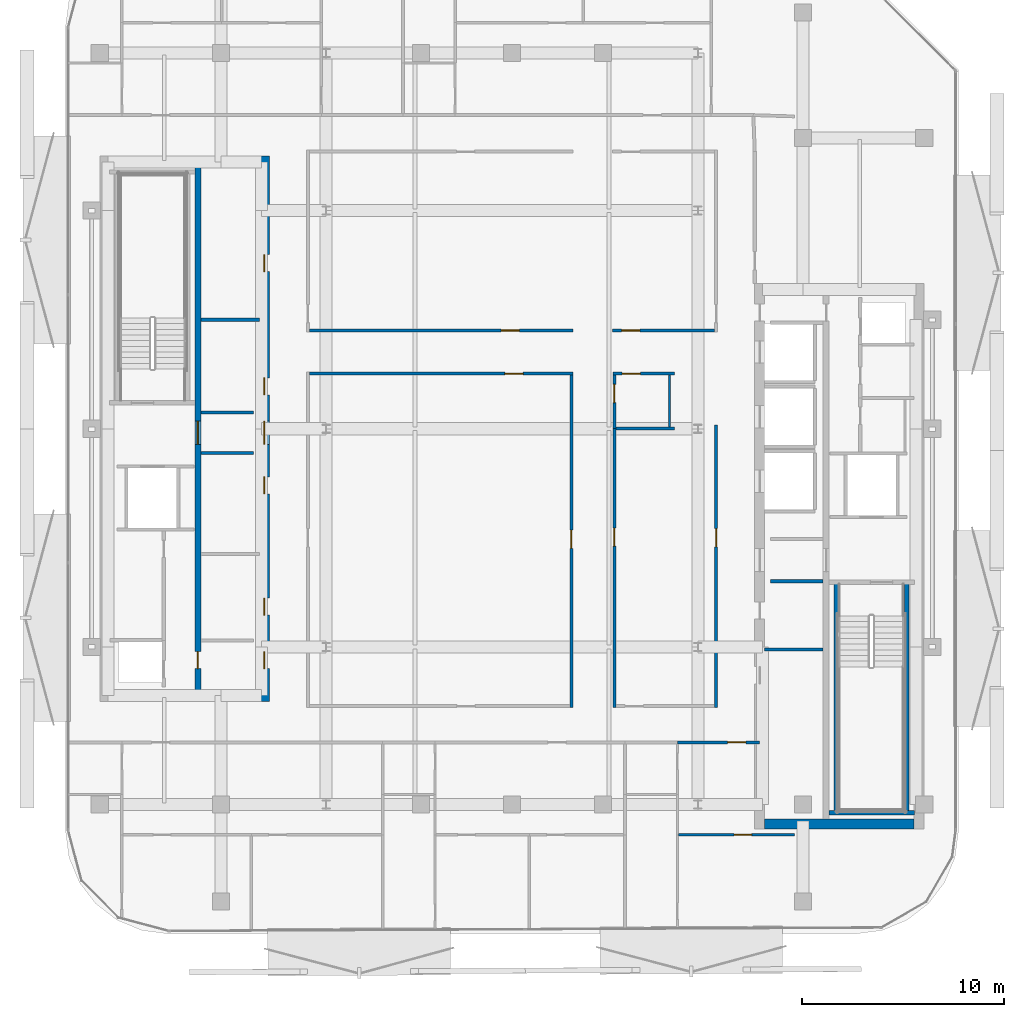
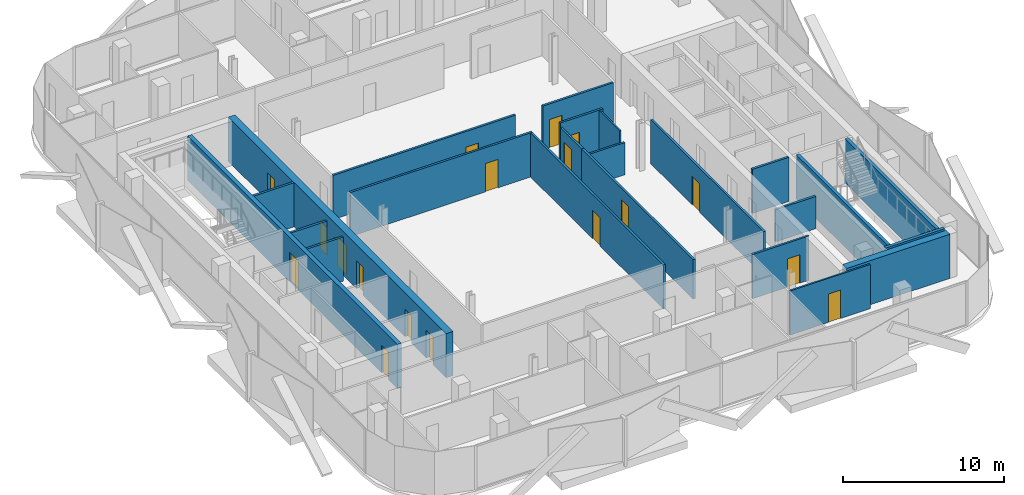
# One storey, part 4 of 15: 23 walls, 18 doors, 18 openings.
"""IFC4 building model written with IfcOpenShell, lengths in metres."""

from ifc_helpers import new_model, si_unit, direction, frame, frame_2d, origin, place, context, subcontext, project, spatial, rectangle, extrude, material, layer, layer_set, type_object, element, fill, save


model = new_model("IFC4")

# Units and contexts
model_context = context("Model", 3, precision=1e-05, world=origin(), true_north=direction((0.0, 1.0)))
body_context = subcontext(model_context, "Body", "Model", "MODEL_VIEW")
ifc_project = project(units=[si_unit("LENGTHUNIT", "METRE"), si_unit("AREAUNIT", "SQUARE_METRE"), si_unit("VOLUMEUNIT", "CUBIC_METRE"), si_unit("PLANEANGLEUNIT", "RADIAN"), si_unit("MASSUNIT", "GRAM", prefix="KILO")], contexts=[model_context])

# Site, building, storey
site_placement = place(None, origin())
site = spatial("IfcSite", under=ifc_project, at=site_placement, CompositionType="ELEMENT")
building_placement = place(site_placement, origin())
building = spatial("IfcBuilding", under=site, at=building_placement, Name="Khairoan Windgate Tower", CompositionType="ELEMENT")
storey_placement = place(building_placement, frame((0.0, 0.0, 254.800048828125)))
storey = spatial("IfcBuildingStorey", under=building, at=storey_placement, Name="L60", CompositionType="ELEMENT", Elevation=254.800048828125)

# Walls
ifc_material_1 = material(Name="Moisture-Resistant Gypsum Partition", Category="gypsum")
ifc_layer_1 = layer(ifc_material_1, 0.10009765625, Name="Moisture-Resistant Gypsum Partition")
ifc_layer_set_1 = layer_set([ifc_layer_1], Name="Moisture-Resistant Gypsum Partition")
wall_type_1 = type_object("IfcWallType", Name="Bathroom Wet-Area Partition Wall", PredefinedType="PARTITIONING", material=ifc_layer_set_1)
wall_1_placement = place(storey_placement, frame((7.800048828125, 2.659912109375, 0.0), z_axis=(0.0, 0.0, 1.0), x_axis=(0.0, -1.0, 0.0)))
element("IfcWall", 1, at=wall_1_placement, inside=storey, type_object=wall_type_1, Name="L60 Wet Room Side Wall 089", PredefinedType="PARTITIONING", context=body_context, shape_type="SweptSolid", body=[
    extrude(rectangle(XDim=2.56982421875, YDim=0.10009765625, at=frame_2d((1.284912109375, 0.0))), origin(), (0.0, 0.0, 1.0), 3.33984375),
])
ifc_material_2 = material(Name="Concrete C40/50", Category="concrete")
ifc_layer_2 = layer(ifc_material_2, 0.159912109375, Name="Concrete C40/50")
ifc_layer_set_2 = layer_set([ifc_layer_2], Name="Concrete C40/50")
wall_type_2 = type_object("IfcWallType", Name="Core and Hoistway Enclosure Wall", PredefinedType="STANDARD", material=ifc_layer_set_2)
for number, where, z_axis, x_axis, name in (
    (2, (-15.39990234375, 0.800048828125, 0.0), (0.0, 0.0, 1.0), (1.0, 0.0, 0.0), "L60 Core Shaft Wall SW-WV1-L60"),
    (3, (-15.39990234375, -1.199951171875, 0.0), (0.0, 0.0, 1.0), (1.0, 0.0, 0.0), "L60 Core Shaft Wall SW-WV2-L60"),
    (4, (12.800048828125, -7.5400390625, 0.0), (0.0, 0.0, 1.0), (1.0, 0.0, 0.0), "L60 Core Shaft Wall SW-EV2-L60"),
):
    element("IfcWall", number, at=place(storey_placement, frame(where, z_axis=z_axis, x_axis=x_axis)), inside=storey, type_object=wall_type_2, Name=name, PredefinedType="STANDARD", context=body_context, shape_type="SweptSolid", body=[
        extrude(rectangle(XDim=2.599853515625, YDim=0.159912109375, at=frame_2d((1.2998046875, 0.0))), origin(), (0.0, 0.0, 1.0), 3.33984375),
    ])
ifc_material_3 = material(Name="Acoustic Fire-Rated Gypsum Partition", Category="gypsum")
ifc_layer_3 = layer(ifc_material_3, 0.139892578125, Name="Acoustic Fire-Rated Gypsum Partition")
ifc_layer_set_3 = layer_set([ifc_layer_3], Name="Acoustic Fire-Rated Gypsum Partition")
wall_type_3 = type_object("IfcWallType", Name="Inter-Tenancy Compartment Wall", PredefinedType="PARTITIONING", material=ifc_layer_set_3)
wall_2_placement = place(storey_placement, frame((5.139892578125, 0.02001953125, 0.0), z_axis=(0.0, 0.0, 1.0), x_axis=(1.0, 0.0, 0.0)))
element("IfcWall", 5, at=wall_2_placement, inside=storey, type_object=wall_type_3, Name="L60 Interior Partition 087", PredefinedType="PARTITIONING", context=body_context, shape_type="SweptSolid", body=[
    extrude(rectangle(XDim=2.900146484375, YDim=0.139892578125, at=frame_2d((1.4501953125, 0.0))), origin(), (0.0, 0.0, 1.0), 2.43994140625),
])

# Wall, opening, door
ifc_material_4 = material(Name="Gypsum Stud Partition", Category="gypsum")
ifc_layer_4 = layer(ifc_material_4, 0.1201171875, Name="Gypsum Stud Partition")
ifc_layer_set_4 = layer_set([ifc_layer_4], Name="Gypsum Stud Partition")
wall_type_4 = type_object("IfcWallType", Name="Internal Room Partition Wall", PredefinedType="PARTITIONING", material=ifc_layer_set_4)
wall_3_placement = place(storey_placement, frame((8.25, -20.10009765625, 0.0), z_axis=(0.0, 0.0, 1.0), x_axis=(1.0, 0.0, 0.0)))
wall_3 = element("IfcWall", 6, at=wall_3_placement, inside=storey, type_object=wall_type_4, Name="L60 Interior Partition 086", PredefinedType="PARTITIONING", context=body_context, shape_type="SweptSolid", body=[
    extrude(rectangle(XDim=5.72998046875, YDim=0.1201171875, at=frame_2d((2.864990234375, 0.0))), origin(), (0.0, 0.0, 1.0), 3.33984375),
])
opening_1_placement = place(wall_3_placement, frame((2.746826171875, 0.0, 0.0)))
opening_1 = element("IfcOpeningElement", 7, at=opening_1_placement, cuts=wall_3, Name="Opening ID-RM", PredefinedType="OPENING", context=body_context, shape_type="SweptSolid", body=[
    extrude(rectangle(XDim=0.860107421875, YDim=2.14990234375, at=frame_2d((0.43017578125, 1.074951171875))), frame((0.0, 0.070068359375, 0.0), z_axis=(0.0, -1.0, 0.0), x_axis=(1.0, 0.0, 0.0)), (0.0, 0.0, 1.0), 0.14013671875),
])
ifc_material_5 = material(Name="Teak Veneer Timber Leaf", Category="wood")
door_type_1 = type_object("IfcDoorType", Name="Internal Bedroom and Office Door ID-RM 860x2150", OperationType="NOTDEFINED", PredefinedType="DOOR", material=ifc_material_5)
door_1_placement = place(opening_1_placement, origin())
door_1 = element("IfcDoor", 8, at=door_1_placement, inside=storey, type_object=door_type_1, Name="L60 L60-57-L60-58 Door", OperationType="SINGLE_SWING_LEFT", OverallHeight=2.14990234375, OverallWidth=0.860107421875, PredefinedType="DOOR", context=body_context, shape_type="SweptSolid", body=[
    extrude(rectangle(XDim=0.860107421875, YDim=2.14990234375, at=frame_2d((0.43017578125, 1.074951171875))), frame((0.0, 0.02490234375, 0.0), z_axis=(0.0, -1.0, 0.0), x_axis=(1.0, 0.0, 0.0)), (0.0, 0.0, 1.0), 0.050048828125),
])
fill(opening_1, door_1)

# Walls
ifc_material_6 = material(Name="Concrete C40/50", Category="concrete")
ifc_layer_5 = layer(ifc_material_6, 0.159912109375, Name="Concrete C40/50")
ifc_layer_set_5 = layer_set([ifc_layer_5], Name="Concrete C40/50")
wall_type_5 = type_object("IfcWallType", Name="Plant and Refuge Compartment Wall", PredefinedType="PARTITIONING", material=ifc_layer_set_5)
wall_4_placement = place(storey_placement, frame((-15.39990234375, 5.39990234375, 0.0), z_axis=(0.0, 0.0, 1.0), x_axis=(1.0, 0.0, 0.0)))
element("IfcWall", 9, at=wall_4_placement, inside=storey, type_object=wall_type_5, Name="L60 Interior Partition 004", PredefinedType="PARTITIONING", context=body_context, shape_type="SweptSolid", body=[
    extrude(rectangle(XDim=2.89990234375, YDim=0.159912109375, at=frame_2d((1.449951171875, 0.0))), origin(), (0.0, 0.0, 1.0), 3.33984375),
])
wall_5_placement = place(storey_placement, frame((12.5, -10.919921875, 0.0), z_axis=(0.0, 0.0, 1.0), x_axis=(1.0, 0.0, 0.0)))
element("IfcWall", 10, at=wall_5_placement, inside=storey, type_object=wall_type_5, Name="L60 Interior Partition 011", PredefinedType="PARTITIONING", context=body_context, shape_type="SweptSolid", body=[
    extrude(rectangle(XDim=2.89990234375, YDim=0.159912109375, at=frame_2d((1.449951171875, 0.0))), origin(), (0.0, 0.0, 1.0), 2.43994140625),
])

# Wall, opening, door
ifc_material_7 = material(Name="Acoustic Fire-Rated Gypsum Partition", Category="gypsum")
ifc_layer_6 = layer(ifc_material_7, 0.14990234375, Name="Acoustic Fire-Rated Gypsum Partition")
ifc_layer_set_6 = layer_set([ifc_layer_6], Name="Acoustic Fire-Rated Gypsum Partition")
wall_type_6 = type_object("IfcWallType", Name="Rated Corridor Partition Wall", PredefinedType="PARTITIONING", material=ifc_layer_set_6)
wall_6_placement = place(storey_placement, frame((10.10009765625, -13.794921875, 0.0), z_axis=(0.0, 0.0, 1.0), x_axis=(0.0, 1.0, 0.0)))
wall_6 = element("IfcWall", 11, at=wall_6_placement, inside=storey, type_object=wall_type_6, Name="L60 Interior Partition 016", PredefinedType="PARTITIONING", context=body_context, shape_type="SweptSolid", body=[
    extrude(rectangle(XDim=13.974853515625, YDim=0.14990234375, at=frame_2d((6.9873046875, 0.0))), origin(), (0.0, 0.0, 1.0), 3.33984375),
])
opening_2_placement = place(wall_6_placement, frame((7.95556640625, 0.0, 0.0)))
opening_2 = element("IfcOpeningElement", 12, at=opening_2_placement, cuts=wall_6, Name="Opening FD-ENT", PredefinedType="OPENING", context=body_context, shape_type="SweptSolid", body=[
    extrude(rectangle(XDim=0.89990234375, YDim=2.14990234375, at=frame_2d((0.449951171875, 1.074951171875))), frame((0.0, 0.0849609375, 0.0), z_axis=(0.0, -1.0, 0.0), x_axis=(1.0, 0.0, 0.0)), (0.0, 0.0, 1.0), 0.169921875),
])
ifc_material_8 = material(Name="Timber Fire-Rated Core", Category="wood")
door_type_2 = type_object("IfcDoorType", Name="Unit and Office Fire Entrance Door FD-ENT 900x2150", OperationType="NOTDEFINED", PredefinedType="DOOR", material=ifc_material_8)
door_2_placement = place(opening_2_placement, origin())
door_2 = element("IfcDoor", 13, at=door_2_placement, inside=storey, type_object=door_type_2, Name="L60 L60-28-L60-64 Door", OperationType="SINGLE_SWING_LEFT", OverallHeight=2.14990234375, OverallWidth=0.89990234375, PredefinedType="DOOR", context=body_context, shape_type="SweptSolid", body=[
    extrude(rectangle(XDim=0.89990234375, YDim=2.14990234375, at=frame_2d((0.449951171875, 1.074951171875))), frame((0.0, 0.02490234375, 0.0), z_axis=(0.0, -1.0, 0.0), x_axis=(1.0, 0.0, 0.0)), (0.0, 0.0, 1.0), 0.050048828125),
])
fill(opening_2, door_2)

wall_7_placement = place(storey_placement, frame((-10.02490234375, 4.864990234375, 0.0), z_axis=(0.0, 0.0, 1.0), x_axis=(1.0, 0.0, 0.0)))
wall_7 = element("IfcWall", 14, at=wall_7_placement, inside=storey, type_object=wall_type_6, Name="L60 Interior Partition 017", PredefinedType="PARTITIONING", context=body_context, shape_type="SweptSolid", body=[
    extrude(rectangle(XDim=13.054931640625, YDim=0.14990234375, at=frame_2d((6.52734375, 0.0))), origin(), (0.0, 0.0, 1.0), 3.33984375),
])
opening_3_placement = place(wall_7_placement, frame((9.488037109375, 0.0, 0.0)))
opening_3 = element("IfcOpeningElement", 15, at=opening_3_placement, cuts=wall_7, Name="Opening FD-ENT", PredefinedType="OPENING", context=body_context, shape_type="SweptSolid", body=[
    extrude(rectangle(XDim=0.89990234375, YDim=2.14990234375, at=frame_2d((0.449951171875, 1.074951171875))), frame((0.0, 0.0849609375, 0.0), z_axis=(0.0, -1.0, 0.0), x_axis=(1.0, 0.0, 0.0)), (0.0, 0.0, 1.0), 0.169921875),
])
door_3_placement = place(opening_3_placement, origin())
door_3 = element("IfcDoor", 16, at=door_3_placement, inside=storey, type_object=door_type_2, Name="L60 L60-29-L60-60 Door", OperationType="SINGLE_SWING_RIGHT", OverallHeight=2.14990234375, OverallWidth=0.89990234375, PredefinedType="DOOR", context=body_context, shape_type="SweptSolid", body=[
    extrude(rectangle(XDim=0.89990234375, YDim=2.14990234375, at=frame_2d((0.449951171875, 1.074951171875))), frame((0.0, 0.02490234375, 0.0), z_axis=(0.0, -1.0, 0.0), x_axis=(1.0, 0.0, 0.0)), (0.0, 0.0, 1.0), 0.050048828125),
])
fill(opening_3, door_3)

wall_8_placement = place(storey_placement, frame((-10.02490234375, 2.735107421875, 0.0), z_axis=(0.0, 0.0, 1.0), x_axis=(1.0, 0.0, 0.0)))
wall_8 = element("IfcWall", 17, at=wall_8_placement, inside=storey, type_object=wall_type_6, Name="L60 Interior Partition 018", PredefinedType="PARTITIONING", context=body_context, shape_type="SweptSolid", body=[
    extrude(rectangle(XDim=13.034912109375, YDim=0.14990234375, at=frame_2d((6.517578125, 0.0))), origin(), (0.0, 0.0, 1.0), 3.33984375),
])
opening_4_placement = place(wall_8_placement, frame((9.67236328125, 0.0, 0.0)))
opening_4 = element("IfcOpeningElement", 18, at=opening_4_placement, cuts=wall_8, Name="Opening FD-ENT", PredefinedType="OPENING", context=body_context, shape_type="SweptSolid", body=[
    extrude(rectangle(XDim=0.89990234375, YDim=2.14990234375, at=frame_2d((0.449951171875, 1.074951171875))), frame((0.0, 0.0849609375, 0.0), z_axis=(0.0, -1.0, 0.0), x_axis=(1.0, 0.0, 0.0)), (0.0, 0.0, 1.0), 0.169921875),
])
door_4_placement = place(opening_4_placement, origin())
door_4 = element("IfcDoor", 19, at=door_4_placement, inside=storey, type_object=door_type_2, Name="L60 L60-29-L60-61 Door", OperationType="SINGLE_SWING_LEFT", OverallHeight=2.14990234375, OverallWidth=0.89990234375, PredefinedType="DOOR", context=body_context, shape_type="SweptSolid", body=[
    extrude(rectangle(XDim=0.89990234375, YDim=2.14990234375, at=frame_2d((0.449951171875, 1.074951171875))), frame((0.0, 0.02490234375, 0.0), z_axis=(0.0, -1.0, 0.0), x_axis=(1.0, 0.0, 0.0)), (0.0, 0.0, 1.0), 0.050048828125),
])
fill(opening_4, door_4)

wall_9_placement = place(storey_placement, frame((4.969970703125, 4.864990234375, 0.0), z_axis=(0.0, 0.0, 1.0), x_axis=(1.0, 0.0, 0.0)))
wall_9 = element("IfcWall", 20, at=wall_9_placement, inside=storey, type_object=wall_type_6, Name="L60 Interior Partition 019", PredefinedType="PARTITIONING", context=body_context, shape_type="SweptSolid", body=[
    extrude(rectangle(XDim=5.054931640625, YDim=0.14990234375, at=frame_2d((2.52734375, 0.0))), origin(), (0.0, 0.0, 1.0), 3.33984375),
])
opening_5_placement = place(wall_9_placement, frame((0.4599609375, 0.0, 0.0)))
opening_5 = element("IfcOpeningElement", 21, at=opening_5_placement, cuts=wall_9, Name="Opening FD-ENT", PredefinedType="OPENING", context=body_context, shape_type="SweptSolid", body=[
    extrude(rectangle(XDim=0.89990234375, YDim=2.14990234375, at=frame_2d((0.449951171875, 1.074951171875))), frame((0.0, 0.0849609375, 0.0), z_axis=(0.0, -1.0, 0.0), x_axis=(1.0, 0.0, 0.0)), (0.0, 0.0, 1.0), 0.169921875),
])
door_5_placement = place(opening_5_placement, origin())
door_5 = element("IfcDoor", 22, at=door_5_placement, inside=storey, type_object=door_type_2, Name="L60 L60-29-L60-62 Door", OperationType="SINGLE_SWING_RIGHT", OverallHeight=2.14990234375, OverallWidth=0.89990234375, PredefinedType="DOOR", context=body_context, shape_type="SweptSolid", body=[
    extrude(rectangle(XDim=0.89990234375, YDim=2.14990234375, at=frame_2d((0.449951171875, 1.074951171875))), frame((0.0, 0.02490234375, 0.0), z_axis=(0.0, -1.0, 0.0), x_axis=(1.0, 0.0, 0.0)), (0.0, 0.0, 1.0), 0.050048828125),
])
fill(opening_5, door_5)

wall_10_placement = place(storey_placement, frame((4.989990234375, 2.735107421875, 0.0), z_axis=(0.0, 0.0, 1.0), x_axis=(1.0, 0.0, 0.0)))
wall_10 = element("IfcWall", 23, at=wall_10_placement, inside=storey, type_object=wall_type_6, Name="L60 Interior Partition 020", PredefinedType="PARTITIONING", context=body_context, shape_type="SweptSolid", body=[
    extrude(rectangle(XDim=3.050048828125, YDim=0.14990234375, at=frame_2d((1.52490234375, 0.0))), origin(), (0.0, 0.0, 1.0), 3.33984375),
])
opening_6_placement = place(wall_10_placement, frame((0.4599609375, 0.0, 0.0)))
opening_6 = element("IfcOpeningElement", 24, at=opening_6_placement, cuts=wall_10, Name="Opening FD-ENT", PredefinedType="OPENING", context=body_context, shape_type="SweptSolid", body=[
    extrude(rectangle(XDim=0.89990234375, YDim=2.14990234375, at=frame_2d((0.449951171875, 1.074951171875))), frame((0.0, 0.0849609375, 0.0), z_axis=(0.0, -1.0, 0.0), x_axis=(1.0, 0.0, 0.0)), (0.0, 0.0, 1.0), 0.169921875),
])
door_6_placement = place(opening_6_placement, origin())
door_6 = element("IfcDoor", 25, at=door_6_placement, inside=storey, type_object=door_type_2, Name="L60 L60-29-L60-63 Door", OperationType="SINGLE_SWING_LEFT", OverallHeight=2.14990234375, OverallWidth=0.89990234375, PredefinedType="DOOR", context=body_context, shape_type="SweptSolid", body=[
    extrude(rectangle(XDim=0.89990234375, YDim=2.14990234375, at=frame_2d((0.449951171875, 1.074951171875))), frame((0.0, 0.02490234375, 0.0), z_axis=(0.0, -1.0, 0.0), x_axis=(1.0, 0.0, 0.0)), (0.0, 0.0, 1.0), 0.050048828125),
])
fill(opening_6, door_6)

wall_11_placement = place(storey_placement, frame((2.93505859375, -13.794921875, 0.0), z_axis=(0.0, 0.0, 1.0), x_axis=(0.0, 1.0, 0.0)))
wall_11 = element("IfcWall", 26, at=wall_11_placement, inside=storey, type_object=wall_type_6, Name="L60 Interior Partition 021", PredefinedType="PARTITIONING", context=body_context, shape_type="SweptSolid", body=[
    extrude(rectangle(XDim=16.454833984375, YDim=0.14990234375, at=frame_2d((8.2275390625, 0.0))), origin(), (0.0, 0.0, 1.0), 3.33984375),
])
opening_7_placement = place(wall_11_placement, frame((7.877685546875, 0.0, 0.0)))
opening_7 = element("IfcOpeningElement", 27, at=opening_7_placement, cuts=wall_11, Name="Opening FD-ENT", PredefinedType="OPENING", context=body_context, shape_type="SweptSolid", body=[
    extrude(rectangle(XDim=0.89990234375, YDim=2.14990234375, at=frame_2d((0.449951171875, 1.074951171875))), frame((0.0, 0.0849609375, 0.0), z_axis=(0.0, -1.0, 0.0), x_axis=(1.0, 0.0, 0.0)), (0.0, 0.0, 1.0), 0.169921875),
])
door_7_placement = place(opening_7_placement, origin())
door_7 = element("IfcDoor", 28, at=door_7_placement, inside=storey, type_object=door_type_2, Name="L60 L60-30-L60-61 Door", OperationType="SINGLE_SWING_RIGHT", OverallHeight=2.14990234375, OverallWidth=0.89990234375, PredefinedType="DOOR", context=body_context, shape_type="SweptSolid", body=[
    extrude(rectangle(XDim=0.89990234375, YDim=2.14990234375, at=frame_2d((0.449951171875, 1.074951171875))), frame((0.0, 0.02490234375, 0.0), z_axis=(0.0, -1.0, 0.0), x_axis=(1.0, 0.0, 0.0)), (0.0, 0.0, 1.0), 0.050048828125),
])
fill(opening_7, door_7)

wall_12_placement = place(storey_placement, frame((5.06494140625, 0.02001953125, 0.0), z_axis=(0.0, 0.0, 1.0), x_axis=(0.0, 1.0, 0.0)))
wall_12 = element("IfcWall", 29, at=wall_12_placement, inside=storey, type_object=wall_type_6, Name="L60 Interior Partition 022", PredefinedType="PARTITIONING", context=body_context, shape_type="SweptSolid", body=[
    extrude(rectangle(XDim=2.639892578125, YDim=0.14990234375, at=frame_2d((1.31982421875, 0.0))), origin(), (0.0, 0.0, 1.0), 2.989990234375),
])
opening_8_placement = place(wall_12_placement, frame((1.280029296875, 0.0, 0.0)))
opening_8 = element("IfcOpeningElement", 30, at=opening_8_placement, cuts=wall_12, Name="Opening FD-ENT", PredefinedType="OPENING", context=body_context, shape_type="SweptSolid", body=[
    extrude(rectangle(XDim=0.89990234375, YDim=2.14990234375, at=frame_2d((0.449951171875, 1.074951171875))), frame((0.0, 0.0849609375, 0.0), z_axis=(0.0, -1.0, 0.0), x_axis=(1.0, 0.0, 0.0)), (0.0, 0.0, 1.0), 0.169921875),
])
door_8_placement = place(opening_8_placement, origin())
door_8 = element("IfcDoor", 31, at=door_8_placement, inside=storey, type_object=door_type_2, Name="L60 L60-30-L60-63 Door", OperationType="SINGLE_SWING_LEFT", OverallHeight=2.14990234375, OverallWidth=0.89990234375, PredefinedType="DOOR", context=body_context, shape_type="SweptSolid", body=[
    extrude(rectangle(XDim=0.89990234375, YDim=2.14990234375, at=frame_2d((0.449951171875, 1.074951171875))), frame((0.0, 0.02490234375, 0.0), z_axis=(0.0, -1.0, 0.0), x_axis=(1.0, 0.0, 0.0)), (0.0, 0.0, 1.0), 0.050048828125),
])
fill(opening_8, door_8)

wall_13_placement = place(storey_placement, frame((5.06494140625, -13.794921875, 0.0), z_axis=(0.0, 0.0, 1.0), x_axis=(0.0, 1.0, 0.0)))
wall_13 = element("IfcWall", 32, at=wall_13_placement, inside=storey, type_object=wall_type_6, Name="L60 Interior Partition 023", PredefinedType="PARTITIONING", context=body_context, shape_type="SweptSolid", body=[
    extrude(rectangle(XDim=13.81494140625, YDim=0.14990234375, at=frame_2d((6.907470703125, 0.0))), origin(), (0.0, 0.0, 1.0), 2.989990234375),
])
opening_9_placement = place(wall_13_placement, frame((7.982421875, 0.0, 0.0)))
opening_9 = element("IfcOpeningElement", 33, at=opening_9_placement, cuts=wall_13, Name="Opening FD-ENT", PredefinedType="OPENING", context=body_context, shape_type="SweptSolid", body=[
    extrude(rectangle(XDim=0.89990234375, YDim=2.14990234375, at=frame_2d((0.449951171875, 1.074951171875))), frame((0.0, 0.0849609375, 0.0), z_axis=(0.0, -1.0, 0.0), x_axis=(1.0, 0.0, 0.0)), (0.0, 0.0, 1.0), 0.169921875),
])
door_9_placement = place(opening_9_placement, origin())
door_9 = element("IfcDoor", 34, at=door_9_placement, inside=storey, type_object=door_type_2, Name="L60 L60-30-L60-64 Door", OperationType="SINGLE_SWING_RIGHT", OverallHeight=2.14990234375, OverallWidth=0.89990234375, PredefinedType="DOOR", context=body_context, shape_type="SweptSolid", body=[
    extrude(rectangle(XDim=0.89990234375, YDim=2.14990234375, at=frame_2d((0.449951171875, 1.074951171875))), frame((0.0, 0.02490234375, 0.0), z_axis=(0.0, -1.0, 0.0), x_axis=(1.0, 0.0, 0.0)), (0.0, 0.0, 1.0), 0.050048828125),
])
fill(opening_9, door_9)

wall_14_placement = place(storey_placement, frame((8.18994140625, -15.52490234375, 0.0), z_axis=(0.0, 0.0, 1.0), x_axis=(1.0, 0.0, 0.0)))
wall_14 = element("IfcWall", 35, at=wall_14_placement, inside=storey, type_object=wall_type_6, Name="L60 Interior Partition 038", PredefinedType="PARTITIONING", context=body_context, shape_type="SweptSolid", body=[
    extrude(rectangle(XDim=4.050048828125, YDim=0.14990234375, at=frame_2d((2.02490234375, 0.0))), origin(), (0.0, 0.0, 1.0), 3.33984375),
])
opening_10_placement = place(wall_14_placement, frame((2.4873046875, 0.0, 0.0)))
opening_10 = element("IfcOpeningElement", 36, at=opening_10_placement, cuts=wall_14, Name="Opening FD-ENT", PredefinedType="OPENING", context=body_context, shape_type="SweptSolid", body=[
    extrude(rectangle(XDim=0.89990234375, YDim=2.14990234375, at=frame_2d((0.449951171875, 1.074951171875))), frame((0.0, 0.0849609375, 0.0), z_axis=(0.0, -1.0, 0.0), x_axis=(1.0, 0.0, 0.0)), (0.0, 0.0, 1.0), 0.169921875),
])
door_10_placement = place(opening_10_placement, origin())
door_10 = element("IfcDoor", 37, at=door_10_placement, inside=storey, type_object=door_type_2, Name="L60 L60-32-L60-57 Door", OperationType="SINGLE_SWING_RIGHT", OverallHeight=2.14990234375, OverallWidth=0.89990234375, PredefinedType="DOOR", context=body_context, shape_type="SweptSolid", body=[
    extrude(rectangle(XDim=0.89990234375, YDim=2.14990234375, at=frame_2d((0.449951171875, 1.074951171875))), frame((0.0, 0.02490234375, 0.0), z_axis=(0.0, -1.0, 0.0), x_axis=(1.0, 0.0, 0.0)), (0.0, 0.0, 1.0), 0.050048828125),
])
fill(opening_10, door_10)

# Wall
ifc_material_9 = material(Name="Concrete C50/60", Category="concrete")
ifc_layer_7 = layer(ifc_material_9, 0.5, Name="Concrete C50/60")
ifc_layer_set_7 = layer_set([ifc_layer_7], Name="Concrete C50/60")
wall_type_7 = type_object("IfcWallType", Name="Shear Wall CW-E3 500mm", PredefinedType="SHEAR", material=ifc_layer_set_7)
wall_15_placement = place(storey_placement, frame((12.5, -19.550048828125, 0.0), z_axis=(0.0, 0.0, 1.0), x_axis=(1.0, 0.0, 0.0)))
element("IfcWall", 38, at=wall_15_placement, inside=storey, type_object=wall_type_7, Name="E Core South Shear Wall L60", PredefinedType="SHEAR", context=body_context, shape_type="SweptSolid", body=[
    extrude(rectangle(XDim=7.39990234375, YDim=0.5, at=frame_2d((3.699951171875, 0.0))), origin(), (0.0, 0.0, 1.0), 3.33984375),
])

# Wall, openings, doors
ifc_material_10 = material(Name="Concrete C50/60", Category="concrete")
ifc_layer_8 = layer(ifc_material_10, 0.5, Name="Concrete C50/60")
ifc_layer_set_8 = layer_set([ifc_layer_8], Name="Concrete C50/60")
wall_type_8 = type_object("IfcWallType", Name="Shear Wall CW-W3 500mm", PredefinedType="SHEAR", material=ifc_layer_set_8)
wall_16_placement = place(storey_placement, frame((-12.25, -13.5, 0.0), z_axis=(0.0, 0.0, 1.0), x_axis=(0.0, 1.0, 0.0)))
wall_16 = element("IfcWall", 39, at=wall_16_placement, inside=storey, type_object=wall_type_8, Name="W Core East Shear Wall L60", PredefinedType="SHEAR", context=body_context, shape_type="SweptSolid", body=[
    extrude(rectangle(XDim=27.0, YDim=0.5, at=frame_2d((13.5, 0.0))), origin(), (0.0, 0.0, 1.0), 3.33984375),
])
opening_11_placement = place(wall_16_placement, frame((15.175048828125, 0.0, 0.0)))
opening_11 = element("IfcOpeningElement", 40, at=opening_11_placement, cuts=wall_16, Name="Opening FD-SRV", PredefinedType="OPENING", context=body_context, shape_type="SweptSolid", body=[
    extrude(rectangle(XDim=0.85009765625, YDim=2.10009765625, at=frame_2d((0.425048828125, 1.050048828125))), frame((0.0, 0.260009765625, 0.0), z_axis=(0.0, -1.0, 0.0), x_axis=(1.0, 0.0, 0.0)), (0.0, 0.0, 1.0), 0.52001953125),
])
opening_12_placement = place(wall_16_placement, frame((21.27490234375, 0.0, 0.0)))
opening_12 = element("IfcOpeningElement", 41, at=opening_12_placement, cuts=wall_16, Name="Opening FD-SRV", PredefinedType="OPENING", context=body_context, shape_type="SweptSolid", body=[
    extrude(rectangle(XDim=0.85009765625, YDim=2.10009765625, at=frame_2d((0.425048828125, 1.050048828125))), frame((0.0, 0.260009765625, 0.0), z_axis=(0.0, -1.0, 0.0), x_axis=(1.0, 0.0, 0.0)), (0.0, 0.0, 1.0), 0.52001953125),
])
opening_13_placement = place(wall_16_placement, frame((4.27490234375, 0.0, 0.0)))
opening_13 = element("IfcOpeningElement", 42, at=opening_13_placement, cuts=wall_16, Name="Opening FD-SRV", PredefinedType="OPENING", context=body_context, shape_type="SweptSolid", body=[
    extrude(rectangle(XDim=0.85009765625, YDim=2.10009765625, at=frame_2d((0.425048828125, 1.050048828125))), frame((0.0, 0.260009765625, 0.0), z_axis=(0.0, -1.0, 0.0), x_axis=(1.0, 0.0, 0.0)), (0.0, 0.0, 1.0), 0.52001953125),
])
opening_14_placement = place(wall_16_placement, frame((10.27490234375, 0.0, 0.0)))
opening_14 = element("IfcOpeningElement", 43, at=opening_14_placement, cuts=wall_16, Name="Opening FD-SRV", PredefinedType="OPENING", context=body_context, shape_type="SweptSolid", body=[
    extrude(rectangle(XDim=0.85009765625, YDim=2.10009765625, at=frame_2d((0.425048828125, 1.050048828125))), frame((0.0, 0.260009765625, 0.0), z_axis=(0.0, -1.0, 0.0), x_axis=(1.0, 0.0, 0.0)), (0.0, 0.0, 1.0), 0.52001953125),
])
opening_15_placement = place(wall_16_placement, frame((12.72509765625, 0.0, 0.0)))
opening_15 = element("IfcOpeningElement", 44, at=opening_15_placement, cuts=wall_16, Name="Opening FD-FFL", PredefinedType="OPENING", context=body_context, shape_type="SweptSolid", body=[
    extrude(rectangle(XDim=1.14990234375, YDim=2.199951171875, at=frame_2d((0.574951171875, 1.10009765625))), frame((0.0, 0.260009765625, 0.0), z_axis=(0.0, -1.0, 0.0), x_axis=(1.0, 0.0, 0.0)), (0.0, 0.0, 1.0), 0.52001953125),
])
opening_16_placement = place(wall_16_placement, frame((1.625, 0.0, 0.0)))
opening_16 = element("IfcOpeningElement", 45, at=opening_16_placement, cuts=wall_16, Name="Opening FD-SRV", PredefinedType="OPENING", context=body_context, shape_type="SweptSolid", body=[
    extrude(rectangle(XDim=0.85009765625, YDim=2.10009765625, at=frame_2d((0.425048828125, 1.050048828125))), frame((0.0, 0.260009765625, 0.0), z_axis=(0.0, -1.0, 0.0), x_axis=(1.0, 0.0, 0.0)), (0.0, 0.0, 1.0), 0.52001953125),
])
ifc_material_11 = material(Name="Steel S355", Category="steel")
door_type_3 = type_object("IfcDoorType", Name="Core Service and Riser Fire Door FD-SRV 850x2100", OperationType="NOTDEFINED", PredefinedType="DOOR", material=ifc_material_11)
door_11_placement = place(opening_11_placement, origin())
door_11 = element("IfcDoor", 46, at=door_11_placement, inside=storey, type_object=door_type_3, Name="L60 Upper Core Room Door B1-1", OperationType="SINGLE_SWING_RIGHT", OverallHeight=2.10009765625, OverallWidth=0.85009765625, PredefinedType="DOOR", context=body_context, shape_type="SweptSolid", body=[
    extrude(rectangle(XDim=0.85009765625, YDim=2.10009765625, at=frame_2d((0.425048828125, 1.050048828125))), frame((0.0, 0.02490234375, 0.0), z_axis=(0.0, -1.0, 0.0), x_axis=(1.0, 0.0, 0.0)), (0.0, 0.0, 1.0), 0.050048828125),
])
fill(opening_11, door_11)
door_12_placement = place(opening_12_placement, origin())
door_12 = element("IfcDoor", 47, at=door_12_placement, inside=storey, type_object=door_type_3, Name="L60 Upper Core Room Door B1-2", OperationType="SINGLE_SWING_LEFT", OverallHeight=2.10009765625, OverallWidth=0.85009765625, PredefinedType="DOOR", context=body_context, shape_type="SweptSolid", body=[
    extrude(rectangle(XDim=0.85009765625, YDim=2.10009765625, at=frame_2d((0.425048828125, 1.050048828125))), frame((0.0, 0.02490234375, 0.0), z_axis=(0.0, -1.0, 0.0), x_axis=(1.0, 0.0, 0.0)), (0.0, 0.0, 1.0), 0.050048828125),
])
fill(opening_12, door_12)
door_13_placement = place(opening_13_placement, origin())
door_13 = element("IfcDoor", 48, at=door_13_placement, inside=storey, type_object=door_type_3, Name="L60 Upper Core Room Door B2-1", OperationType="SINGLE_SWING_RIGHT", OverallHeight=2.10009765625, OverallWidth=0.85009765625, PredefinedType="DOOR", context=body_context, shape_type="SweptSolid", body=[
    extrude(rectangle(XDim=0.85009765625, YDim=2.10009765625, at=frame_2d((0.425048828125, 1.050048828125))), frame((0.0, 0.02490234375, 0.0), z_axis=(0.0, -1.0, 0.0), x_axis=(1.0, 0.0, 0.0)), (0.0, 0.0, 1.0), 0.050048828125),
])
fill(opening_13, door_13)
door_14_placement = place(opening_14_placement, origin())
door_14 = element("IfcDoor", 49, at=door_14_placement, inside=storey, type_object=door_type_3, Name="L60 Upper Core Room Door B2-2", OperationType="SINGLE_SWING_LEFT", OverallHeight=2.10009765625, OverallWidth=0.85009765625, PredefinedType="DOOR", context=body_context, shape_type="SweptSolid", body=[
    extrude(rectangle(XDim=0.85009765625, YDim=2.10009765625, at=frame_2d((0.425048828125, 1.050048828125))), frame((0.0, 0.02490234375, 0.0), z_axis=(0.0, -1.0, 0.0), x_axis=(1.0, 0.0, 0.0)), (0.0, 0.0, 1.0), 0.050048828125),
])
fill(opening_14, door_14)
door_15_placement = place(opening_16_placement, origin())
door_15 = element("IfcDoor", 50, at=door_15_placement, inside=storey, type_object=door_type_3, Name="L60 West Core Service Vestibule Outer Door", OperationType="SINGLE_SWING_RIGHT", OverallHeight=2.10009765625, OverallWidth=0.85009765625, PredefinedType="DOOR", context=body_context, shape_type="SweptSolid", body=[
    extrude(rectangle(XDim=0.85009765625, YDim=2.10009765625, at=frame_2d((0.425048828125, 1.050048828125))), frame((0.0, 0.02490234375, 0.0), z_axis=(0.0, -1.0, 0.0), x_axis=(1.0, 0.0, 0.0)), (0.0, 0.0, 1.0), 0.050048828125),
])
fill(opening_16, door_15)
ifc_material_12 = material(Name="Steel S355", Category="steel")
door_type_4 = type_object("IfcDoorType", Name="Firefighting Lobby Fire Door FD-FFL 1150x2200", OperationType="NOTDEFINED", PredefinedType="DOOR", material=ifc_material_12)
door_16_placement = place(opening_15_placement, origin())
door_16 = element("IfcDoor", 51, at=door_16_placement, inside=storey, type_object=door_type_4, Name="L60 West Core Vestibule Entry Door", OperationType="SINGLE_SWING_RIGHT", OverallHeight=2.199951171875, OverallWidth=1.14990234375, PredefinedType="DOOR", context=body_context, shape_type="SweptSolid", body=[
    extrude(rectangle(XDim=1.14990234375, YDim=2.199951171875, at=frame_2d((0.574951171875, 1.10009765625))), frame((0.0, 0.02490234375, 0.0), z_axis=(0.0, -1.0, 0.0), x_axis=(1.0, 0.0, 0.0)), (0.0, 0.0, 1.0), 0.050048828125),
])
fill(opening_15, door_16)

ifc_material_13 = material(Name="Concrete C50/60", Category="concrete")
ifc_layer_9 = layer(ifc_material_13, 0.300048828125, Name="Concrete C50/60")
ifc_layer_set_9 = layer_set([ifc_layer_9], Name="Concrete C50/60")
wall_type_9 = type_object("IfcWallType", Name="Shear Wall SW-2 300mm", PredefinedType="SHEAR", material=ifc_layer_set_9)
wall_17_placement = place(storey_placement, frame((-15.550048828125, -13.0, 0.0), z_axis=(0.0, 0.0, 1.0), x_axis=(0.0, 1.0, 0.0)))
wall_17 = element("IfcWall", 52, at=wall_17_placement, inside=storey, type_object=wall_type_9, Name="W Core Spine Shear Wall L60", PredefinedType="SHEAR", context=body_context, shape_type="SweptSolid", body=[
    extrude(rectangle(XDim=26.0, YDim=0.300048828125, at=frame_2d((13.0, 0.0))), origin(), (0.0, 0.0, 1.0), 3.33984375),
])
opening_17_placement = place(wall_17_placement, frame((12.22509765625, 0.0, 0.0)))
opening_17 = element("IfcOpeningElement", 53, at=opening_17_placement, cuts=wall_17, Name="Opening FD-FFL", PredefinedType="OPENING", context=body_context, shape_type="SweptSolid", body=[
    extrude(rectangle(XDim=1.14990234375, YDim=2.199951171875, at=frame_2d((0.574951171875, 1.10009765625))), frame((0.0, 0.159912109375, 0.0), z_axis=(0.0, -1.0, 0.0), x_axis=(1.0, 0.0, 0.0)), (0.0, 0.0, 1.0), 0.320068359375),
])
opening_18_placement = place(wall_17_placement, frame((1.125, 0.0, 0.0)))
opening_18 = element("IfcOpeningElement", 54, at=opening_18_placement, cuts=wall_17, Name="Opening FD-SRV", PredefinedType="OPENING", context=body_context, shape_type="SweptSolid", body=[
    extrude(rectangle(XDim=0.85009765625, YDim=2.10009765625, at=frame_2d((0.425048828125, 1.050048828125))), frame((0.0, 0.159912109375, 0.0), z_axis=(0.0, -1.0, 0.0), x_axis=(1.0, 0.0, 0.0)), (0.0, 0.0, 1.0), 0.320068359375),
])
door_17_placement = place(opening_18_placement, origin())
door_17 = element("IfcDoor", 55, at=door_17_placement, inside=storey, type_object=door_type_3, Name="L60 West Core Service Passage Inner Door", OperationType="SINGLE_SWING_LEFT", OverallHeight=2.10009765625, OverallWidth=0.85009765625, PredefinedType="DOOR", context=body_context, shape_type="SweptSolid", body=[
    extrude(rectangle(XDim=0.85009765625, YDim=2.10009765625, at=frame_2d((0.425048828125, 1.050048828125))), frame((0.0, 0.02490234375, 0.0), z_axis=(0.0, -1.0, 0.0), x_axis=(1.0, 0.0, 0.0)), (0.0, 0.0, 1.0), 0.050048828125),
])
fill(opening_18, door_17)
door_18_placement = place(opening_17_placement, origin())
door_18 = element("IfcDoor", 56, at=door_18_placement, inside=storey, type_object=door_type_4, Name="L60 West Firefighting Lobby Fire Door", OperationType="SINGLE_SWING_LEFT", OverallHeight=2.199951171875, OverallWidth=1.14990234375, PredefinedType="DOOR", context=body_context, shape_type="SweptSolid", body=[
    extrude(rectangle(XDim=1.14990234375, YDim=2.199951171875, at=frame_2d((0.574951171875, 1.10009765625))), frame((0.0, 0.02490234375, 0.0), z_axis=(0.0, -1.0, 0.0), x_axis=(1.0, 0.0, 0.0)), (0.0, 0.0, 1.0), 0.050048828125),
])
fill(opening_17, door_18)

# Walls
ifc_material_14 = material(Name="Concrete C50/60", Category="concrete")
ifc_layer_10 = layer(ifc_material_14, 0.219970703125, Name="Concrete C50/60")
ifc_layer_set_10 = layer_set([ifc_layer_10], Name="Concrete C50/60")
wall_type_10 = type_object("IfcWallType", Name="Shear Wall SW-ST 220mm", PredefinedType="SHEAR", material=ifc_layer_set_10)
for number, where, z_axis, x_axis, name in (
    (57, (16.0400390625, -19.010009765625, 0.0), (0.0, 0.0, 1.0), (0.0, 1.0, 0.0), "L60 Stair ST1 West Bearing Wall"),
    (58, (19.530029296875, -19.010009765625, 0.0), (0.0, 0.0, 1.0), (0.0, 1.0, 0.0), "L60 Stair ST1 East Bearing Wall"),
):
    element("IfcWall", number, at=place(storey_placement, frame(where, z_axis=z_axis, x_axis=x_axis)), inside=storey, type_object=wall_type_10, Name=name, PredefinedType="SHEAR", context=body_context, shape_type="SweptSolid", body=[
        extrude(rectangle(XDim=11.419921875, YDim=0.219970703125, at=frame_2d((5.7099609375, 0.0))), origin(), (0.0, 0.0, 1.0), 3.33984375),
    ])
wall_18_placement = place(storey_placement, frame((15.679931640625, -19.010009765625, 0.0), z_axis=(0.0, 0.0, 1.0), x_axis=(1.0, 0.0, 0.0)))
element("IfcWall", 59, at=wall_18_placement, inside=storey, type_object=wall_type_10, Name="L60 Stair ST1 South Bearing Wall", PredefinedType="SHEAR", context=body_context, shape_type="SweptSolid", body=[
    extrude(rectangle(XDim=4.239990234375, YDim=0.219970703125, at=frame_2d((2.1201171875, 0.0))), origin(), (0.0, 0.0, 1.0), 3.33984375),
])

save(model, "model.ifc")
